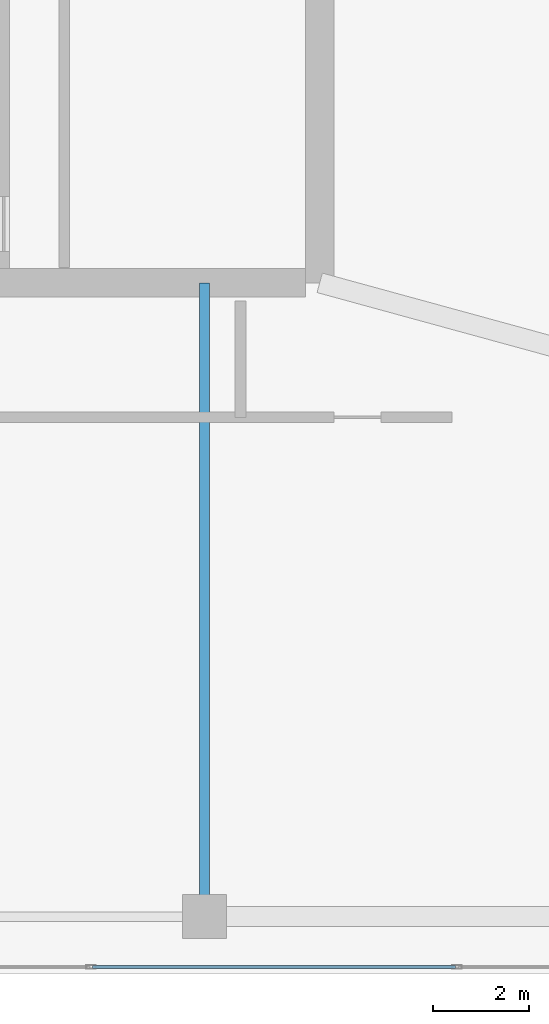
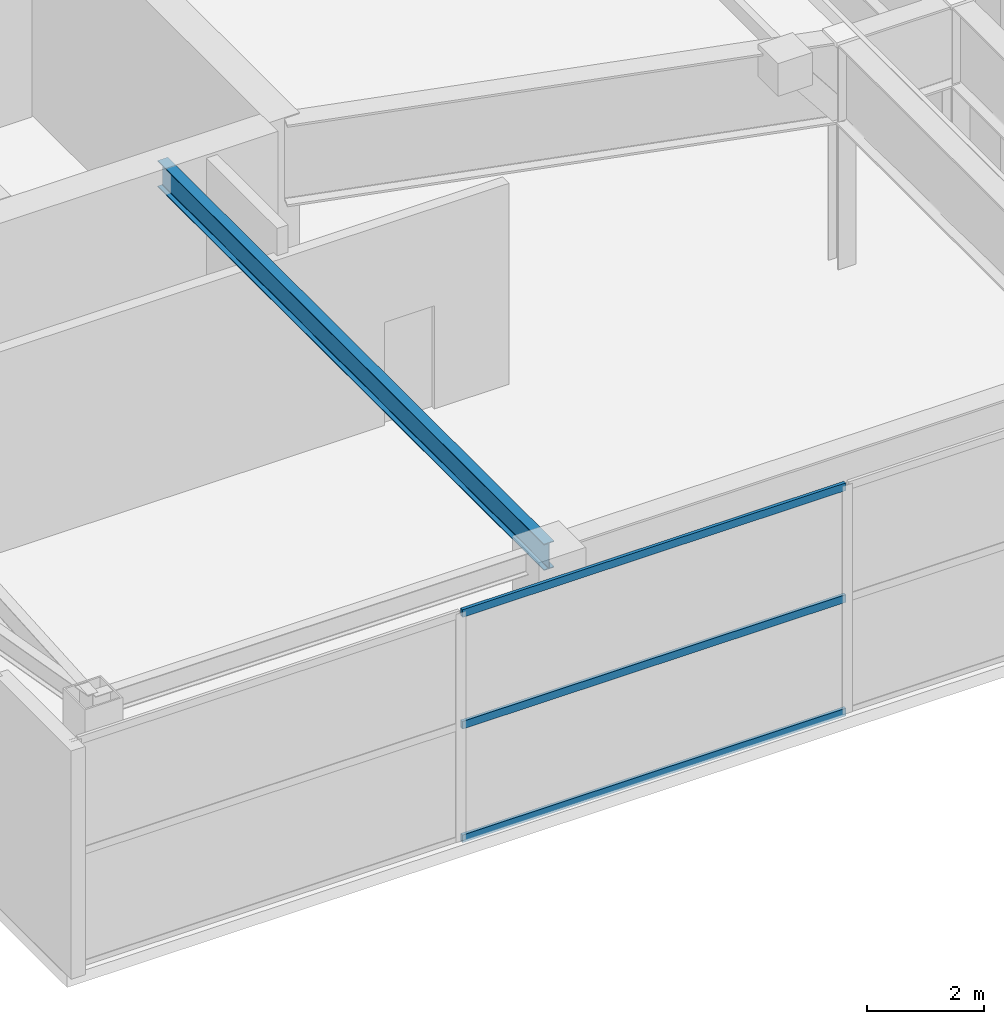
# One storey, part 5 of 21: 3 members, 1 beam, 1 element without a shape of its own.
"""IFC4 building model written with IfcOpenShell, lengths in metres."""

from ifc_helpers import new_model, si_unit, direction, frame, origin, origin_2d, place, context, subcontext, project, spatial, hollow_rectangle, i_section, extrude, material, layer, layer_set, material_profile, profile_set, type_object, element, aggregate, save


model = new_model("IFC4")

# Units and contexts
model_context = context("Model", 3, precision=1e-05, world=origin(), true_north=direction((0.0, 1.0)))
body_context = subcontext(model_context, "Body", "Model", "MODEL_VIEW")
ifc_project = project(units=[si_unit("LENGTHUNIT", "METRE"), si_unit("AREAUNIT", "SQUARE_METRE"), si_unit("VOLUMEUNIT", "CUBIC_METRE"), si_unit("PLANEANGLEUNIT", "RADIAN"), si_unit("MASSUNIT", "GRAM", prefix="KILO")], contexts=[model_context])

# Site, building, storey
site_placement = place(None, origin())
site = spatial("IfcSite", under=ifc_project, at=site_placement, CompositionType="ELEMENT")
building_placement = place(site_placement, origin())
building = spatial("IfcBuilding", under=site, at=building_placement, Name="Calvorn Quay Hotel", CompositionType="ELEMENT")
storey_placement = place(building_placement, frame((0.0, 0.0, 330.5)))
storey = spatial("IfcBuildingStorey", under=building, at=storey_placement, Name="L81", CompositionType="ELEMENT", Elevation=330.5)

# Beam
ifc_material_1 = material(Name="Steel Q355B", Category="steel")
ifc_material_profile_1 = material_profile(ifc_material_1, i_section(OverallWidth=0.199951171875, OverallDepth=0.550048828125, WebThickness=0.010009765625, FlangeThickness=0.01611328125, FilletRadius=0.01806640625, at=origin_2d()), Name="HN550x200x10x16")
ifc_profile_set_1 = profile_set([ifc_material_profile_1], Name="Steel Q355B")
beam_type = type_object("IfcBeamType", Name="BM-GIRD-UPP", PredefinedType="BEAM", material=ifc_profile_set_1)
beam_placement = place(storey_placement, frame((12.60009765625, 3.60009765625, 4.465087890625), z_axis=(0.0, 1.0, 0.0), x_axis=(-1.0, 0.0, 0.0)))
element("IfcBeam", 1, at=beam_placement, inside=storey, type_object=beam_type, Name="Beam BG-L81-CS1", PredefinedType="BEAM", context=body_context, shape_type="SweptSolid", body=[
    extrude(i_section(OverallWidth=0.199951171875, OverallDepth=0.550048828125, WebThickness=0.010009765625, FlangeThickness=0.01611328125, FilletRadius=0.01806640625, at=origin_2d()), origin(), (0.0, 0.0, 1.0), 13.199951171875),
])

# Curtain wall, members
ifc_material_2 = material(Name="Pale Anodised Aluminium and Laminated Glass", Category="aluminium")
ifc_layer = layer(ifc_material_2, 0.219970703125)
ifc_layer_set = layer_set([ifc_layer], Name="CW-SYS-CRN")
curtain_wall_type = type_object("IfcCurtainWallType", Name="CW-SYS-CRN", PredefinedType="NOTDEFINED", material=ifc_layer_set)
curtain_wall_placement = place(storey_placement, origin())
curtain_wall = element("IfcCurtainWall", 2, at=curtain_wall_placement, inside=storey, type_object=curtain_wall_type, Name="Crown Curtain Wall L81-C1", PredefinedType="NOTDEFINED")
ifc_material_3 = material(Name="Pale Anodised Aluminium 6063-T6", Category="aluminium")
ifc_material_profile_2 = material_profile(ifc_material_3, hollow_rectangle(XDim=0.06201171875, YDim=0.159912109375, WallThickness=0.00341796875, at=origin_2d()), Name="ALU-T160x62x3.5")
ifc_profile_set_2 = profile_set([ifc_material_profile_2], Name="Pale Anodised Aluminium 6063-T6")
member_type = type_object("IfcMemberType", Name="CW-SYS-CRN-TRN", PredefinedType="USERDEFINED", material=ifc_profile_set_2)
member_1_placement = place(storey_placement, frame((10.27001953125, 2.550048828125, 0.030029296875), z_axis=(1.0, 0.0, 0.0), x_axis=(0.0, 1.0, 0.0)))
member_1 = element("IfcMember", 3, at=member_1_placement, type_object=member_type, Name="CW-L81-C1 transom 2.1", ObjectType="TRANSOM", PredefinedType="USERDEFINED", context=body_context, shape_type="SweptSolid", body=[
    extrude(hollow_rectangle(XDim=0.06201171875, YDim=0.159912109375, WallThickness=0.00341796875, at=origin_2d()), origin(), (0.0, 0.0, 1.0), 7.56005859375),
])
member_2_placement = place(storey_placement, frame((10.27001953125, 2.550048828125, 2.39990234375), z_axis=(1.0, 0.0, 0.0), x_axis=(0.0, 1.0, 0.0)))
member_2 = element("IfcMember", 4, at=member_2_placement, type_object=member_type, Name="CW-L81-C1 transom 2.2", ObjectType="TRANSOM", PredefinedType="USERDEFINED", context=body_context, shape_type="SweptSolid", body=[
    extrude(hollow_rectangle(XDim=0.06201171875, YDim=0.159912109375, WallThickness=0.00341796875, at=origin_2d()), origin(), (0.0, 0.0, 1.0), 7.56005859375),
])
member_3_placement = place(storey_placement, frame((10.27001953125, 2.550048828125, 4.72998046875), z_axis=(1.0, 0.0, 0.0), x_axis=(0.0, 1.0, 0.0)))
member_3 = element("IfcMember", 5, at=member_3_placement, type_object=member_type, Name="CW-L81-C1 transom 2.3", ObjectType="TRANSOM", PredefinedType="USERDEFINED", context=body_context, shape_type="SweptSolid", body=[
    extrude(hollow_rectangle(XDim=0.06201171875, YDim=0.159912109375, WallThickness=0.00341796875, at=origin_2d()), origin(), (0.0, 0.0, 1.0), 7.56005859375),
])
aggregate(curtain_wall, [member_1, member_2, member_3])

save(model, "model.ifc")
